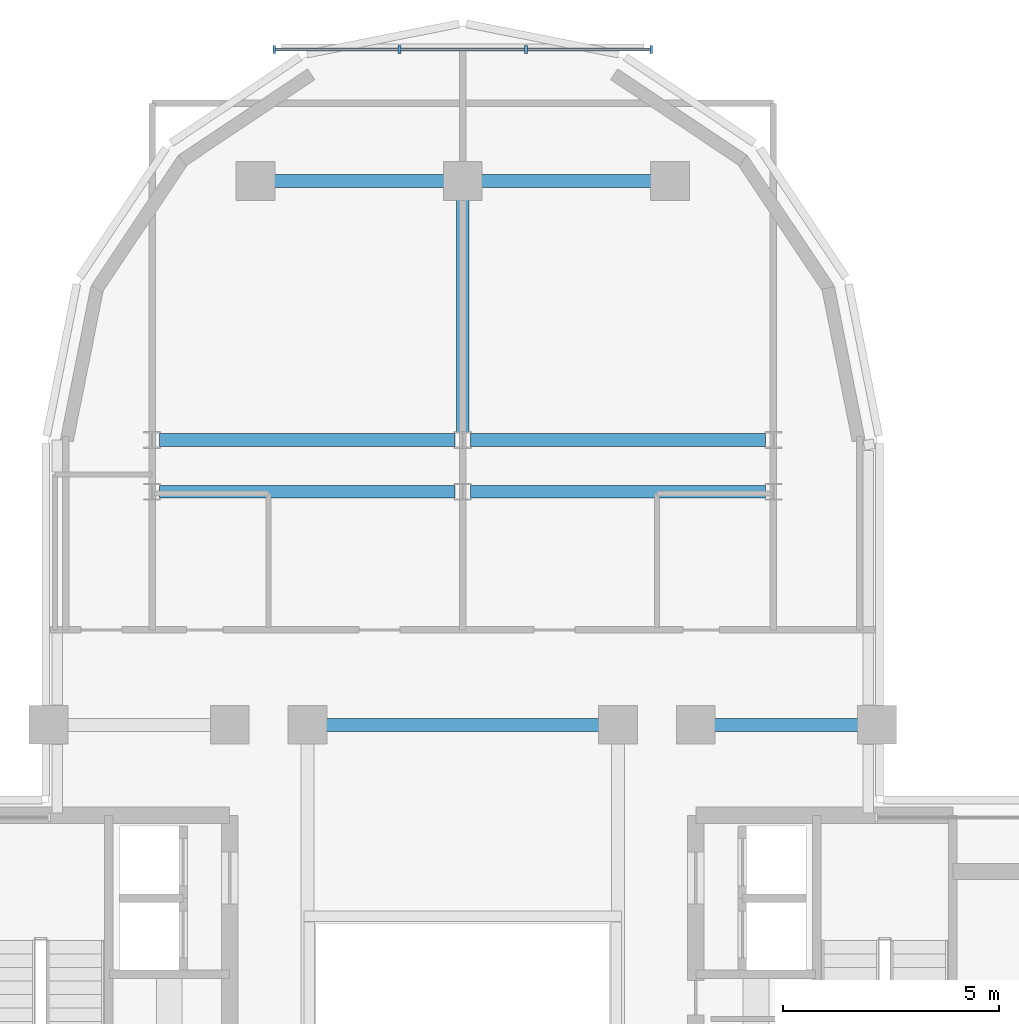
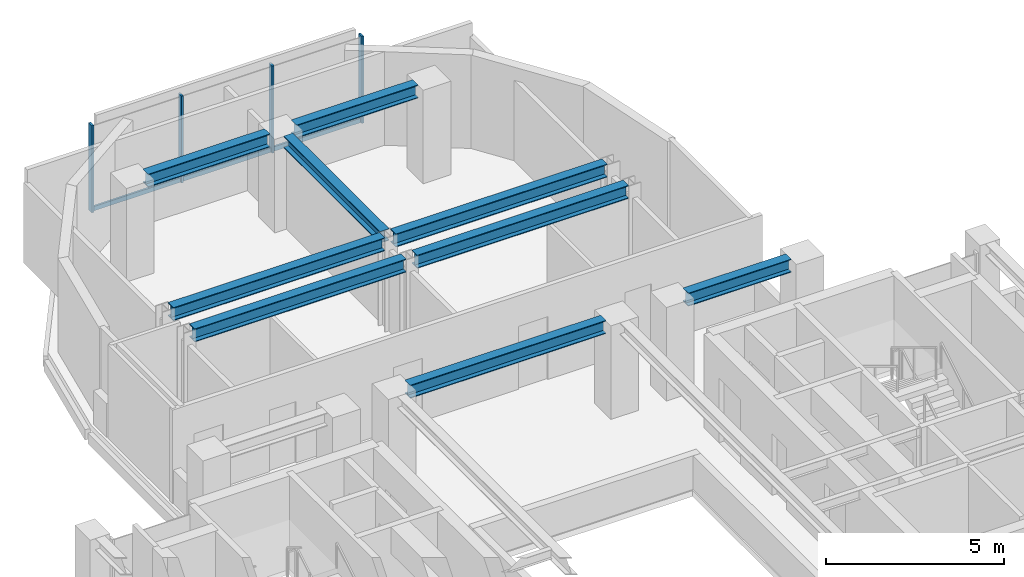
# One storey, part 4 of 11: 9 beams, 7 members, 1 element without a shape of its own.
"""IFC4 building model written with IfcOpenShell, lengths in metres."""

from ifc_helpers import new_model, si_unit, direction, frame, origin, origin_2d, place, context, subcontext, project, spatial, rectangle, i_section, extrude, source, transform, mapped, material, material_profile, profile_set, type_object, element, aggregate, save


model = new_model("IFC4")

# Units and contexts
model_context = context("Model", 3, precision=1e-05, world=origin(), true_north=direction((0.0, 1.0)))
body_context = subcontext(model_context, "Body", "Model", "MODEL_VIEW")
ifc_project = project(units=[si_unit("LENGTHUNIT", "METRE"), si_unit("AREAUNIT", "SQUARE_METRE"), si_unit("VOLUMEUNIT", "CUBIC_METRE"), si_unit("PLANEANGLEUNIT", "RADIAN"), si_unit("MASSUNIT", "GRAM", prefix="KILO")], contexts=[model_context])

# Site, building, storey
site_placement = place(None, origin())
site = spatial("IfcSite", under=ifc_project, at=site_placement, CompositionType="ELEMENT")
building_placement = place(site_placement, origin())
building = spatial("IfcBuilding", under=site, at=building_placement, Name="Keilestroom Media Tower", CompositionType="ELEMENT")
storey_placement = place(building_placement, frame((0.0, 0.0, 194.39990234375)))
storey = spatial("IfcBuildingStorey", under=building, at=storey_placement, Name="L53", CompositionType="ELEMENT", Elevation=194.39990234375)

# Beams
ifc_material_1 = material(Name="Steel S355", Category="steel")
ifc_material_profile_1 = material_profile(ifc_material_1, i_section(OverallWidth=0.300048828125, OverallDepth=0.449951171875, WebThickness=0.011962890625, FlangeThickness=0.02587890625, at=origin_2d()), Name="HEB 450")
ifc_profile_set_1 = profile_set([ifc_material_profile_1], Name="Steel S355")
beam_type_1 = type_object("IfcBeamType", Name="Primary-Structural-Girder-HEB-450", PredefinedType="BEAM", material=ifc_profile_set_1)
shared_shape_1 = source(origin(), body_context, "Body", "SweptSolid", [
    extrude(i_section(OverallWidth=0.300048828125, OverallDepth=0.449951171875, WebThickness=0.011962890625, FlangeThickness=0.02587890625, at=origin_2d()), origin(), (0.0, 0.0, 1.0), 3.940185546875),
])
for number, where, z_axis, x_axis, name in (
    (1, (-4.3701171875, 21.60009765625, 2.97509765625), (1.0, 0.0, 0.0), (0.0, 1.0, 0.0), "L53 Beam BG-7 BM-L53-EW-029"),
    (2, (0.429931640625, 21.60009765625, 2.97509765625), (1.0, 0.0, 0.0), (0.0, 1.0, 0.0), "L53 Beam BG-7 BM-L53-EW-030"),
):
    element("IfcBeam", number, at=place(storey_placement, frame(where, z_axis=z_axis, x_axis=x_axis)), inside=storey, type_object=beam_type_1, Name=name, PredefinedType="BEAM", context=body_context, shape_type="MappedRepresentation", body=[
        mapped(shared_shape_1, transform((0.0, 0.0, 0.0), x_axis=(1.0, 0.0, 0.0), y_axis=(0.0, 1.0, 0.0), z_axis=(0.0, 0.0, 1.0), scale=1.0)),
    ])
shared_shape_2 = source(origin(), body_context, "Body", "SweptSolid", [
    extrude(i_section(OverallWidth=0.300048828125, OverallDepth=0.449951171875, WebThickness=0.011962890625, FlangeThickness=0.02587890625, at=origin_2d()), origin(), (0.0, 0.0, 1.0), 6.842041015625),
])
for number, where, z_axis, x_axis, name in (
    (3, (-7.02099609375, 14.39990234375, 2.97509765625), (1.0, 0.0, 0.0), (0.0, 1.0, 0.0), "L53 Beam BG-7 BM-L53-EW-025"),
    (4, (0.178955078125, 14.39990234375, 2.97509765625), (1.0, 0.0, 0.0), (0.0, 1.0, 0.0), "L53 Beam BG-7 BM-L53-EW-026"),
    (5, (-7.02099609375, 15.60009765625, 2.97509765625), (1.0, 0.0, 0.0), (0.0, 1.0, 0.0), "L53 Beam BG-7 BM-L53-EW-027"),
    (6, (0.178955078125, 15.60009765625, 2.97509765625), (1.0, 0.0, 0.0), (0.0, 1.0, 0.0), "L53 Beam BG-7 BM-L53-EW-028"),
):
    element("IfcBeam", number, at=place(storey_placement, frame(where, z_axis=z_axis, x_axis=x_axis)), inside=storey, type_object=beam_type_1, Name=name, PredefinedType="BEAM", context=body_context, shape_type="MappedRepresentation", body=[
        mapped(shared_shape_2, transform((0.0, 0.0, 0.0), x_axis=(1.0, 0.0, 0.0), y_axis=(0.0, 1.0, 0.0), z_axis=(0.0, 0.0, 1.0), scale=1.0)),
    ])
shared_shape_3 = source(origin(), body_context, "Body", "SweptSolid", [
    extrude(i_section(OverallWidth=0.300048828125, OverallDepth=0.449951171875, WebThickness=0.011962890625, FlangeThickness=0.02587890625, at=origin_2d()), origin(), (0.0, 0.0, 1.0), 3.33984375),
])
beam_1_placement = place(storey_placement, frame((5.830078125, 9.0, 2.97509765625), z_axis=(1.0, 0.0, 0.0), x_axis=(0.0, 1.0, 0.0)))
element("IfcBeam", 7, at=beam_1_placement, inside=storey, type_object=beam_type_1, Name="L53 Beam BG-7 BM-L53-EW-024", PredefinedType="BEAM", context=body_context, shape_type="MappedRepresentation", body=[
    mapped(shared_shape_3, transform((0.0, 0.0, 0.0), x_axis=(1.0, 0.0, 0.0), y_axis=(0.0, 1.0, 0.0), z_axis=(0.0, 0.0, 1.0), scale=1.0)),
])
shared_shape_4 = source(origin(), body_context, "Body", "SweptSolid", [
    extrude(i_section(OverallWidth=0.300048828125, OverallDepth=0.449951171875, WebThickness=0.011962890625, FlangeThickness=0.02587890625, at=origin_2d()), origin(), (0.0, 0.0, 1.0), 6.33984375),
])
beam_2_placement = place(storey_placement, frame((-3.169921875, 9.0, 2.97509765625), z_axis=(1.0, 0.0, 0.0), x_axis=(0.0, 1.0, 0.0)))
element("IfcBeam", 8, at=beam_2_placement, inside=storey, type_object=beam_type_1, Name="L53 Beam BG-7 BM-L53-EW-022", PredefinedType="BEAM", context=body_context, shape_type="MappedRepresentation", body=[
    mapped(shared_shape_4, transform((0.0, 0.0, 0.0), x_axis=(1.0, 0.0, 0.0), y_axis=(0.0, 1.0, 0.0), z_axis=(0.0, 0.0, 1.0), scale=1.0)),
])
ifc_material_profile_2 = material_profile(ifc_material_1, i_section(OverallWidth=0.300048828125, OverallDepth=0.39990234375, WebThickness=0.011474609375, FlangeThickness=0.02392578125, at=origin_2d()), Name="HEB 400")
ifc_profile_set_2 = profile_set([ifc_material_profile_2], Name="Steel S355")
beam_type_2 = type_object("IfcBeamType", Name="Primary-Structural-Girder-HEB-400", PredefinedType="BEAM", material=ifc_profile_set_2)
shared_shape_5 = source(origin(), body_context, "Body", "SweptSolid", [
    extrude(i_section(OverallWidth=0.300048828125, OverallDepth=0.39990234375, WebThickness=0.011474609375, FlangeThickness=0.02392578125, at=origin_2d()), origin(), (0.0, 0.0, 1.0), 5.396484375),
])
beam_3_placement = place(storey_placement, frame((0.0, 15.7734375, 3.0), z_axis=(0.0, 1.0, 0.0), x_axis=(-1.0, 0.0, 0.0)))
element("IfcBeam", 9, at=beam_3_placement, inside=storey, type_object=beam_type_2, Name="L53 Beam BG-8 BM-L53-NS-044", PredefinedType="BEAM", context=body_context, shape_type="MappedRepresentation", body=[
    mapped(shared_shape_5, transform((0.0, 0.0, 0.0), x_axis=(1.0, 0.0, 0.0), y_axis=(0.0, 1.0, 0.0), z_axis=(0.0, 0.0, 1.0), scale=1.0)),
])

# Curtain wall, members
ifc_material_2 = material(Name="Anodised Aluminium Alloy", Category="aluminium")
curtain_wall_type = type_object("IfcCurtainWallType", Name="Unitised-Curtain-Wall-CW-6", PredefinedType="NOTDEFINED", material=ifc_material_2)
curtain_wall_placement = place(storey_placement, origin())
curtain_wall = element("IfcCurtainWall", 10, at=curtain_wall_placement, inside=storey, type_object=curtain_wall_type, Name="L53 Curtain Wall CW-6 CW-L53-LN-1", PredefinedType="NOTDEFINED")
ifc_material_profile_3 = material_profile(ifc_material_2, rectangle(XDim=0.06494140625, YDim=0.179931640625, at=origin_2d()), Name="ALU MULLION 65x180")
ifc_profile_set_3 = profile_set([ifc_material_profile_3], Name="Anodised Aluminium Alloy")
member_type_1 = type_object("IfcMemberType", Name="Curtain-Wall-Mullion-CW-6", PredefinedType="MULLION", material=ifc_profile_set_3)
shared_shape_6 = source(origin(), body_context, "Body", "SweptSolid", [
    extrude(rectangle(XDim=0.06494140625, YDim=0.179931640625, at=origin_2d()), origin(), (0.0, 0.0, 1.0), 2.97998046875),
])
member_1_placement = place(storey_placement, frame((-4.367431640625, 24.64990234375, 0.0), z_axis=(0.0, 0.0, 1.0), x_axis=(1.0, 0.0, 0.0)))
member_1 = element("IfcMember", 11, at=member_1_placement, type_object=member_type_1, Name="CW-6 Mullion 00", PredefinedType="MULLION", context=body_context, shape_type="MappedRepresentation", body=[
    mapped(shared_shape_6, transform((0.0, 0.0, 0.0), x_axis=(1.0, 0.0, 0.0), y_axis=(0.0, 1.0, 0.0), z_axis=(0.0, 0.0, 1.0), scale=1.0)),
])
member_2_placement = place(storey_placement, frame((-1.466796875, 24.64990234375, 0.0), z_axis=(0.0, 0.0, 1.0), x_axis=(1.0, 0.0, 0.0)))
member_2 = element("IfcMember", 12, at=member_2_placement, type_object=member_type_1, Name="CW-6 Mullion 01", PredefinedType="MULLION", context=body_context, shape_type="MappedRepresentation", body=[
    mapped(shared_shape_6, transform((0.0, 0.0, 0.0), x_axis=(1.0, 0.0, 0.0), y_axis=(0.0, 1.0, 0.0), z_axis=(0.0, 0.0, 1.0), scale=1.0)),
])
member_3_placement = place(storey_placement, frame((1.466796875, 24.64990234375, 0.0), z_axis=(0.0, 0.0, 1.0), x_axis=(1.0, 0.0, 0.0)))
member_3 = element("IfcMember", 13, at=member_3_placement, type_object=member_type_1, Name="CW-6 Mullion 02", PredefinedType="MULLION", context=body_context, shape_type="MappedRepresentation", body=[
    mapped(shared_shape_6, transform((0.0, 0.0, 0.0), x_axis=(1.0, 0.0, 0.0), y_axis=(0.0, 1.0, 0.0), z_axis=(0.0, 0.0, 1.0), scale=1.0)),
])
member_4_placement = place(storey_placement, frame((4.367431640625, 24.64990234375, 0.0), z_axis=(0.0, 0.0, 1.0), x_axis=(1.0, 0.0, 0.0)))
member_4 = element("IfcMember", 14, at=member_4_placement, type_object=member_type_1, Name="CW-6 Mullion 03", PredefinedType="MULLION", context=body_context, shape_type="MappedRepresentation", body=[
    mapped(shared_shape_6, transform((0.0, 0.0, 0.0), x_axis=(1.0, 0.0, 0.0), y_axis=(0.0, 1.0, 0.0), z_axis=(0.0, 0.0, 1.0), scale=1.0)),
])
ifc_material_profile_4 = material_profile(ifc_material_2, rectangle(XDim=0.06494140625, YDim=0.14990234375, at=origin_2d()), Name="ALU TRANSOM 65x150")
ifc_profile_set_4 = profile_set([ifc_material_profile_4], Name="Anodised Aluminium Alloy")
member_type_2 = type_object("IfcMemberType", Name="Curtain-Wall-Transom-CW-6", PredefinedType="USERDEFINED", material=ifc_profile_set_4)
shared_shape_7 = source(origin(), body_context, "Body", "SweptSolid", [
    extrude(rectangle(XDim=0.06494140625, YDim=0.14990234375, at=origin_2d()), origin(), (0.0, 0.0, 1.0), 2.839599609375),
])
member_5_placement = place(storey_placement, frame((-4.3369140625, 24.64990234375, 0.0751953125), z_axis=(1.0, 0.0, 0.0), x_axis=(0.0, 1.0, 0.0)))
member_5 = element("IfcMember", 15, at=member_5_placement, type_object=member_type_2, Name="CW-6 Transom 00.1", ObjectType="TRANSOM", PredefinedType="USERDEFINED", context=body_context, shape_type="MappedRepresentation", body=[
    mapped(shared_shape_7, transform((0.0, 0.0, 0.0), x_axis=(1.0, 0.0, 0.0), y_axis=(0.0, 1.0, 0.0), z_axis=(0.0, 0.0, 1.0), scale=1.0)),
])
member_6_placement = place(storey_placement, frame((1.497314453125, 24.64990234375, 0.0751953125), z_axis=(1.0, 0.0, 0.0), x_axis=(0.0, 1.0, 0.0)))
member_6 = element("IfcMember", 16, at=member_6_placement, type_object=member_type_2, Name="CW-6 Transom 02.1", ObjectType="TRANSOM", PredefinedType="USERDEFINED", context=body_context, shape_type="MappedRepresentation", body=[
    mapped(shared_shape_7, transform((0.0, 0.0, 0.0), x_axis=(1.0, 0.0, 0.0), y_axis=(0.0, 1.0, 0.0), z_axis=(0.0, 0.0, 1.0), scale=1.0)),
])
shared_shape_8 = source(origin(), body_context, "Body", "SweptSolid", [
    extrude(rectangle(XDim=0.06494140625, YDim=0.14990234375, at=origin_2d()), origin(), (0.0, 0.0, 1.0), 2.87255859375),
])
member_7_placement = place(storey_placement, frame((-1.436279296875, 24.64990234375, 0.0751953125), z_axis=(1.0, 0.0, 0.0), x_axis=(0.0, 1.0, 0.0)))
member_7 = element("IfcMember", 17, at=member_7_placement, type_object=member_type_2, Name="CW-6 Transom 01.1", ObjectType="TRANSOM", PredefinedType="USERDEFINED", context=body_context, shape_type="MappedRepresentation", body=[
    mapped(shared_shape_8, transform((0.0, 0.0, 0.0), x_axis=(1.0, 0.0, 0.0), y_axis=(0.0, 1.0, 0.0), z_axis=(0.0, 0.0, 1.0), scale=1.0)),
])
aggregate(curtain_wall, [member_1, member_2, member_3, member_4, member_5, member_7, member_6])

save(model, "model.ifc")
